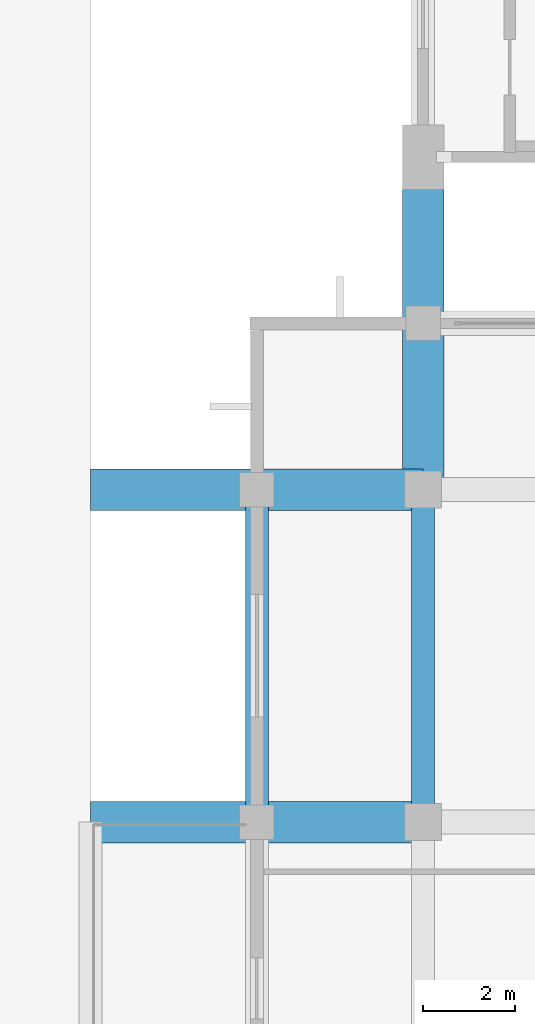
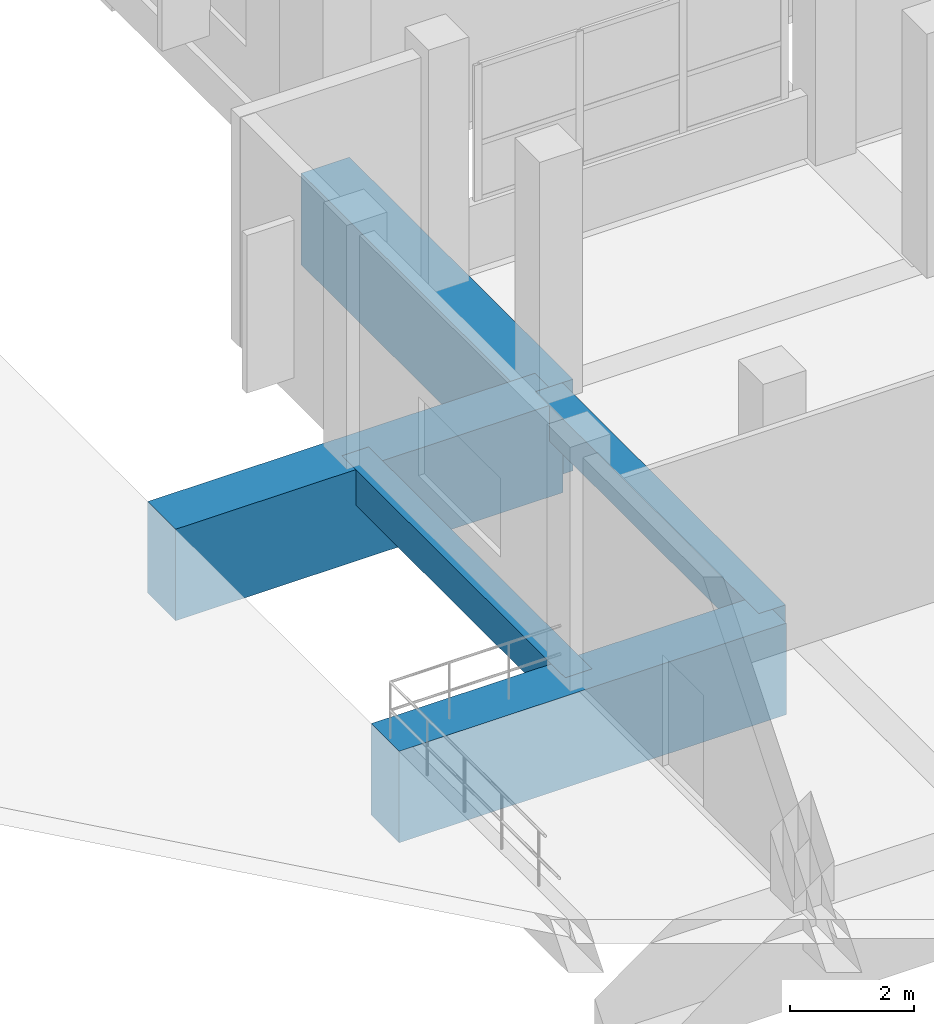
# One storey, part 54 of 140: 5 beams.
"""IFC4 building model written with IfcOpenShell, lengths in metres."""

from ifc_helpers import new_model, si_unit, direction, frame, origin, origin_2d, place, context, subcontext, project, spatial, rectangle, extrude, material, material_profile, profile_set, type_object, element, save


model = new_model("IFC4")

# Units and contexts
model_context = context("Model", 3, precision=1e-05, world=origin(), true_north=direction((0.0, 1.0)))
body_context = subcontext(model_context, "Body", "Model", "MODEL_VIEW")
ifc_project = project(units=[si_unit("LENGTHUNIT", "METRE"), si_unit("AREAUNIT", "SQUARE_METRE"), si_unit("VOLUMEUNIT", "CUBIC_METRE"), si_unit("PLANEANGLEUNIT", "RADIAN"), si_unit("MASSUNIT", "GRAM", prefix="KILO")], contexts=[model_context])

# Site, building, storey
site_placement = place(None, origin())
site = spatial("IfcSite", under=ifc_project, at=site_placement, CompositionType="ELEMENT")
building_placement = place(site_placement, origin())
building = spatial("IfcBuilding", under=site, at=building_placement, Name="Seraya Terrace Polytechnic", CompositionType="ELEMENT")
storey_placement = place(building_placement, frame((0.0, 0.0, 9.60009765625)))
storey = spatial("IfcBuildingStorey", under=building, at=storey_placement, Name="L02", CompositionType="ELEMENT", Elevation=9.60009765625)

# Beams
ifc_material = material(Name="Concrete C40/50", Category="concrete")
ifc_material_profile_1 = material_profile(ifc_material, rectangle(XDim=0.5, YDim=0.699951171875, at=origin_2d()), Name="RC 500x700")
ifc_profile_set_1 = profile_set([ifc_material_profile_1], Name="Concrete C40/50")
beam_type_1 = type_object("IfcBeamType", Name="BM-07", PredefinedType="BEAM", material=ifc_profile_set_1)
for number, where, z_axis, x_axis, name in (
    (1, (10.800048828125, 64.800048828125, -0.35009765625), (0.0, 1.0, 0.0), (-1.0, 0.0, 0.0), "Beam BM-07 L02 Y (10.8, 64.8..72.0)"),
    (2, (14.39990234375, 64.800048828125, -0.35009765625), (0.0, 1.0, 0.0), (-1.0, 0.0, 0.0), "Beam BM-07 L02 Y (14.4, 64.8..72.0)"),
):
    element("IfcBeam", number, at=place(storey_placement, frame(where, z_axis=z_axis, x_axis=x_axis)), inside=storey, type_object=beam_type_1, Name=name, PredefinedType="BEAM", context=body_context, shape_type="SweptSolid", body=[
        extrude(rectangle(XDim=0.5, YDim=0.699951171875, at=origin_2d()), origin(), (0.0, 0.0, 1.0), 7.199951171875),
    ])
ifc_material_profile_2 = material_profile(ifc_material, rectangle(XDim=0.89990234375, YDim=1.800048828125, at=origin_2d()), Name="RC 900x1800")
ifc_profile_set_2 = profile_set([ifc_material_profile_2], Name="Concrete C40/50")
beam_type_2 = type_object("IfcBeamType", Name="TG-01", PredefinedType="USERDEFINED", material=ifc_profile_set_2)
for number, where, z_axis, x_axis, name in (
    (3, (7.199951171875, 64.800048828125, -0.900146484375), (1.0, 0.0, 0.0), (0.0, 1.0, 0.0), "Transfer girder TG-01 L02 #6"),
    (4, (7.199951171875, 72.0, -0.900146484375), (1.0, 0.0, 0.0), (0.0, 1.0, 0.0), "Transfer girder TG-01 L02 #7"),
    (5, (14.39990234375, 72.0, -0.900146484375), (0.0, 1.0, 0.0), (-1.0, 0.0, 0.0), "Transfer girder TG-01 L02 #8"),
):
    element("IfcBeam", number, at=place(storey_placement, frame(where, z_axis=z_axis, x_axis=x_axis)), inside=storey, type_object=beam_type_2, Name=name, ObjectType="GIRDER", PredefinedType="USERDEFINED", context=body_context, shape_type="SweptSolid", body=[
        extrude(rectangle(XDim=0.89990234375, YDim=1.800048828125, at=origin_2d()), origin(), (0.0, 0.0, 1.0), 7.199951171875),
    ])

save(model, "model.ifc")
